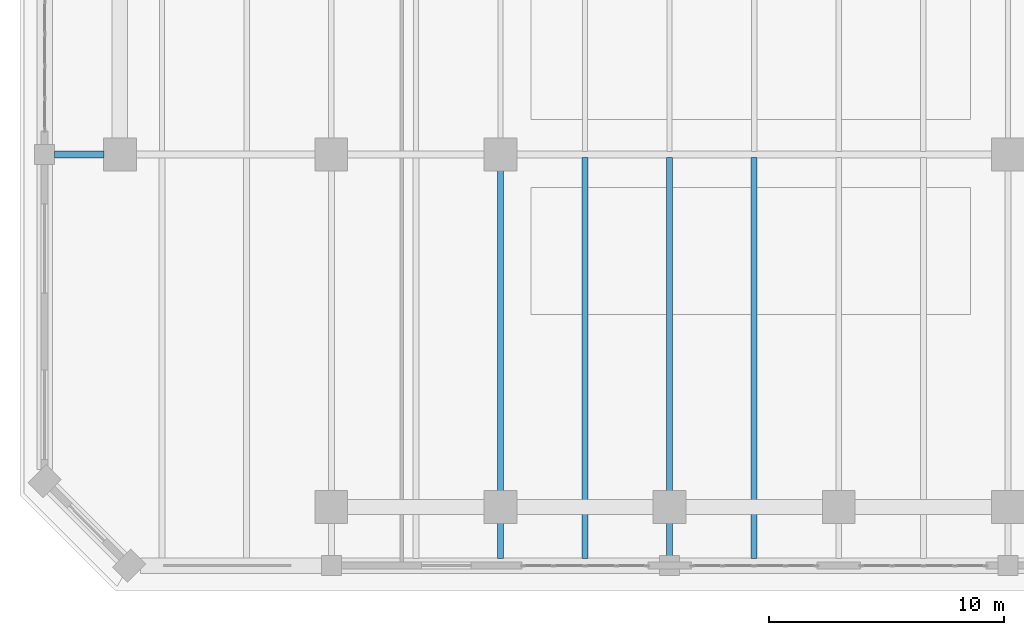
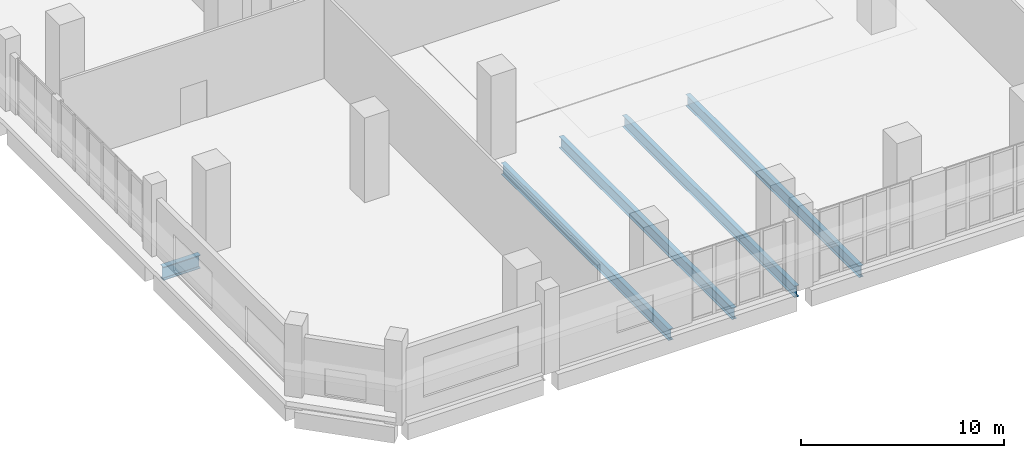
# One storey, part 3 of 25: 5 beams.
"""IFC4 building model written with IfcOpenShell, lengths in metres."""

from ifc_helpers import new_model, si_unit, direction, frame, origin, origin_2d, place, context, subcontext, project, spatial, i_section, extrude, material, material_profile, profile_set, type_object, element, save


model = new_model("IFC4")

# Units and contexts
model_context = context("Model", 3, precision=1e-05, world=origin(), true_north=direction((0.0, 1.0)))
body_context = subcontext(model_context, "Body", "Model", "MODEL_VIEW")
ifc_project = project(units=[si_unit("LENGTHUNIT", "METRE"), si_unit("AREAUNIT", "SQUARE_METRE"), si_unit("VOLUMEUNIT", "CUBIC_METRE"), si_unit("PLANEANGLEUNIT", "RADIAN"), si_unit("MASSUNIT", "GRAM", prefix="KILO")], contexts=[model_context])

# Site, building, storey
site_placement = place(None, origin())
site = spatial("IfcSite", under=ifc_project, at=site_placement, CompositionType="ELEMENT")
building_placement = place(site_placement, origin())
building = spatial("IfcBuilding", under=site, at=building_placement, Name="Kaelvorn Grand Hotel", CompositionType="ELEMENT")
storey_placement = place(building_placement, frame((0.0, 0.0, 14.0)))
storey = spatial("IfcBuildingStorey", under=building, at=storey_placement, Name="L02", CompositionType="ELEMENT", Elevation=14.0)

# Beams
ifc_material = material(Name="Steel S355", Category="steel")
ifc_material_profile_1 = material_profile(ifc_material, i_section(OverallWidth=0.300048828125, OverallDepth=0.800048828125, WebThickness=0.017578125, FlangeThickness=0.032958984375, FilletRadius=0.030029296875, at=origin_2d()), Name="HEB 800")
ifc_profile_set_1 = profile_set([ifc_material_profile_1], Name="Steel S355")
beam_type_1 = type_object("IfcBeamType", Name="BM-G-HEB800-S355", PredefinedType="BEAM", material=ifc_profile_set_1)
beam_1_placement = place(storey_placement, frame((-2.7900390625, 15.0, -0.719970703125), z_axis=(1.0, 0.0, 0.0), x_axis=(0.0, 1.0, 0.0)))
element("IfcBeam", 1, at=beam_1_placement, inside=storey, type_object=beam_type_1, Name="L02 Primary Spine Steel Girder G-15 01", PredefinedType="BEAM", context=body_context, shape_type="SweptSolid", body=[
    extrude(i_section(OverallWidth=0.300048828125, OverallDepth=0.800048828125, WebThickness=0.017578125, FlangeThickness=0.032958984375, FilletRadius=0.030029296875, at=origin_2d()), origin(), (0.0, 0.0, 1.0), 2.10498046875),
])
ifc_material_profile_2 = material_profile(ifc_material, i_section(OverallWidth=0.25439453125, OverallDepth=0.6875, WebThickness=0.01318359375, FlangeThickness=0.02099609375, FilletRadius=0.01513671875, at=origin_2d()), Name="UB 686x254x152")
ifc_profile_set_2 = profile_set([ifc_material_profile_2], Name="Steel S355")
beam_type_2 = type_object("IfcBeamType", Name="BM-J-UB686-S355", PredefinedType="JOIST", material=ifc_profile_set_2)
beam_2_placement = place(storey_placement, frame((16.199951171875, -2.18994140625, -0.663818359375), z_axis=(0.0, 1.0, 0.0), x_axis=(-1.0, 0.0, 0.0)))
element("IfcBeam", 2, at=beam_2_placement, inside=storey, type_object=beam_type_2, Name="L02 Composite Floor Joist JS-05", PredefinedType="JOIST", context=body_context, shape_type="SweptSolid", body=[
    extrude(i_section(OverallWidth=0.25439453125, OverallDepth=0.6875, WebThickness=0.01318359375, FlangeThickness=0.02099609375, FilletRadius=0.01513671875, at=origin_2d()), origin(), (0.0, 0.0, 1.0), 16.5048828125),
])
beam_3_placement = place(storey_placement, frame((19.800048828125, -2.18994140625, -0.663818359375), z_axis=(0.0, 1.0, 0.0), x_axis=(-1.0, 0.0, 0.0)))
element("IfcBeam", 3, at=beam_3_placement, inside=storey, type_object=beam_type_2, Name="L02 Composite Floor Joist JS-06", PredefinedType="JOIST", context=body_context, shape_type="SweptSolid", body=[
    extrude(i_section(OverallWidth=0.25439453125, OverallDepth=0.6875, WebThickness=0.01318359375, FlangeThickness=0.02099609375, FilletRadius=0.01513671875, at=origin_2d()), origin(), (0.0, 0.0, 1.0), 17.054931640625),
])
beam_4_placement = place(storey_placement, frame((23.39990234375, -2.090087890625, -0.663818359375), z_axis=(0.0, 1.0, 0.0), x_axis=(-1.0, 0.0, 0.0)))
element("IfcBeam", 4, at=beam_4_placement, inside=storey, type_object=beam_type_2, Name="L02 Composite Floor Joist JS-07", PredefinedType="JOIST", context=body_context, shape_type="SweptSolid", body=[
    extrude(i_section(OverallWidth=0.25439453125, OverallDepth=0.6875, WebThickness=0.01318359375, FlangeThickness=0.02099609375, FilletRadius=0.01513671875, at=origin_2d()), origin(), (0.0, 0.0, 1.0), 16.955078125),
])
beam_5_placement = place(storey_placement, frame((27.0, -2.18994140625, -0.663818359375), z_axis=(0.0, 1.0, 0.0), x_axis=(-1.0, 0.0, 0.0)))
element("IfcBeam", 5, at=beam_5_placement, inside=storey, type_object=beam_type_2, Name="L02 Composite Floor Joist JS-08", PredefinedType="JOIST", context=body_context, shape_type="SweptSolid", body=[
    extrude(i_section(OverallWidth=0.25439453125, OverallDepth=0.6875, WebThickness=0.01318359375, FlangeThickness=0.02099609375, FilletRadius=0.01513671875, at=origin_2d()), origin(), (0.0, 0.0, 1.0), 17.054931640625),
])

save(model, "model.ifc")
